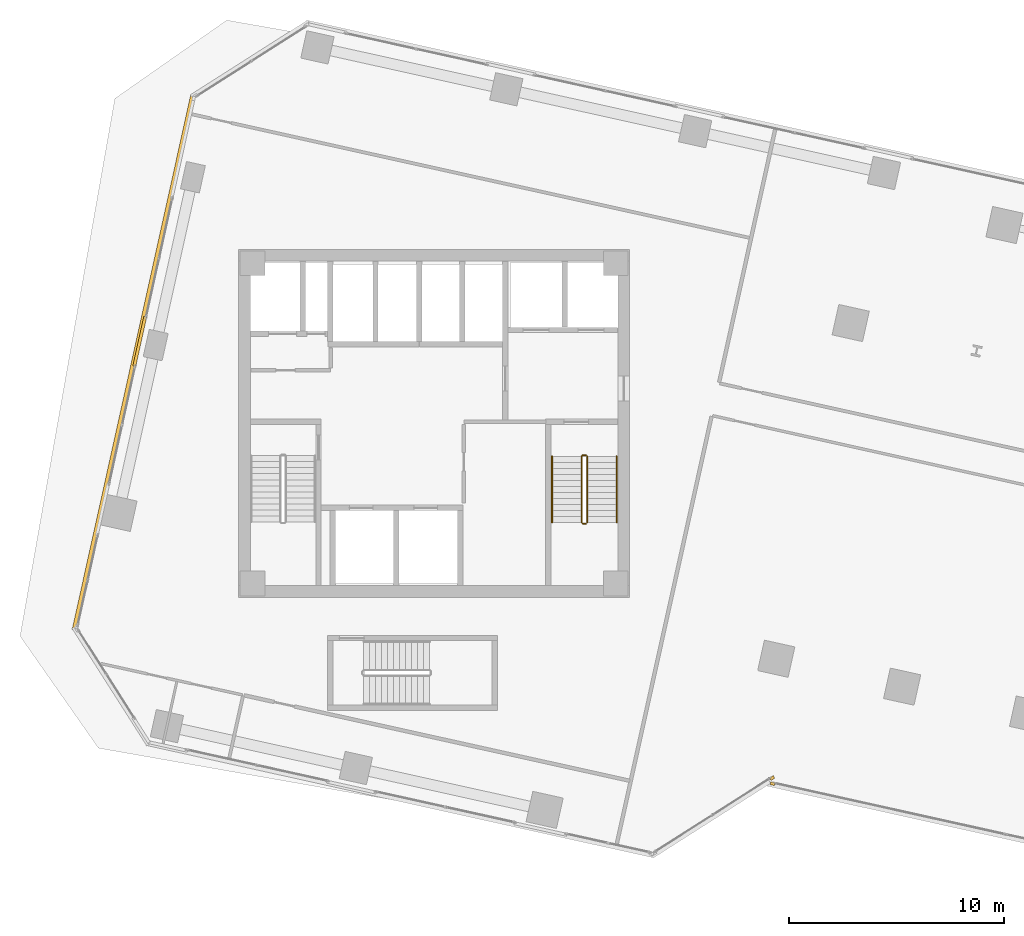
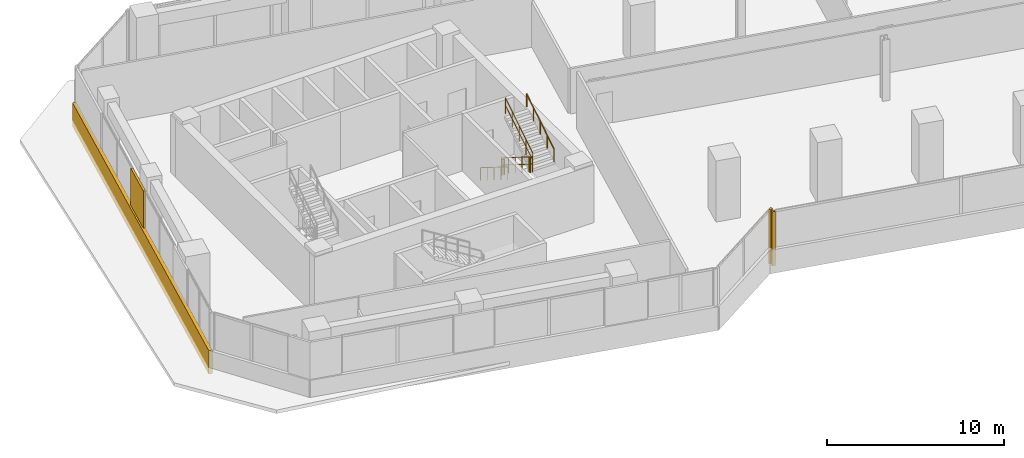
# One storey, part 23 of 25: 6 railings, 4 coverings.
"""IFC4 building model written with IfcOpenShell, lengths in metres."""

import ifcopenshell
import ifcopenshell.guid

model = None  # the IFC model being written
_history = None  # IfcOwnerHistory: only IFC2X3 demands one
_inside = {}  # id of a spatial element -> (the spatial element, [elements in it])
_under = {}  # id of a project, library or spatial element -> (it, [spatial elements below it])
_declared = {}  # id of a project -> (the project, [libraries it declares])
_typed = {}  # id of a type object -> (the type object, [elements of that type])
_made_of = {}  # id of a material, layer set ... -> (it, [elements and type objects made of it])


def new_model(schema):
    """Start an empty IFC model of exactly this schema.

    Asked for "IFC4X3", IfcOpenShell would pick the latest addendum, in which some entities
    have other attributes; the version numbers below select the first issue.
    IFC2X3 requires an IfcOwnerHistory on every rooted entity: one is made here for all.
    """
    global model, _history
    if schema == "IFC4X3":
        model = ifcopenshell.file(schema_version=(4, 3, 0, 0))
    else:
        model = ifcopenshell.file(schema=schema)
    _inside.clear()
    _under.clear()
    _declared.clear()
    _typed.clear()
    _made_of.clear()
    _history = None
    if model.schema == "IFC2X3":
        org = make("IfcOrganization", Name="unknown")
        user = make(
            "IfcPersonAndOrganization",
            ThePerson=make("IfcPerson", FamilyName="unknown"),
            TheOrganization=org,
        )
        app = make(
            "IfcApplication",
            ApplicationDeveloper=org,
            Version="unknown",
            ApplicationFullName="unknown",
            ApplicationIdentifier="unknown",
        )
        _history = make(
            "IfcOwnerHistory",
            OwningUser=user,
            OwningApplication=app,
            ChangeAction="ADDED",
            CreationDate=0,
        )
    return model


def make(cls, **values):
    """One entity of the class cls with the attributes given. An attribute that is None is left unset."""
    return model.create_entity(
        cls, **{name: value for name, value in values.items() if value is not None}
    )


def rooted(cls, **values):
    """An entity with a GlobalId (a new one), such as an element, a storey or a relation."""
    return make(cls, GlobalId=ifcopenshell.guid.new(), OwnerHistory=_history, **values)


def si_unit(unit_type, name, prefix=None):
    """IfcSIUnit, for example si_unit("LENGTHUNIT", "METRE", prefix="MILLI")."""
    return make("IfcSIUnit", UnitType=unit_type, Prefix=prefix, Name=name)


def assignment(units):
    """IfcUnitAssignment: the units of a project."""
    return None if units is None else make("IfcUnitAssignment", Units=units)


def point(xyz):
    """IfcCartesianPoint."""
    return None if xyz is None else make("IfcCartesianPoint", Coordinates=xyz)


def direction(xyz):
    """IfcDirection."""
    return None if xyz is None else make("IfcDirection", DirectionRatios=xyz)


def frame(location, z_axis=None, x_axis=None):
    """IfcAxis2Placement3D, a coordinate frame: its origin and axes. An axis left out is left unset."""
    return make(
        "IfcAxis2Placement3D",
        Location=point(location),
        Axis=direction(z_axis),
        RefDirection=direction(x_axis),
    )


def frame_2d(location, x_axis=None):
    """IfcAxis2Placement2D, a coordinate frame in the plane: its origin and x axis."""
    return make(
        "IfcAxis2Placement2D", Location=point(location), RefDirection=direction(x_axis)
    )


def origin():
    """The frame at (0, 0, 0) with its axes left unset."""
    return frame((0.0, 0.0, 0.0))


def origin_2d():
    """The frame at (0, 0) in the plane with its x axis left unset."""
    return frame_2d((0.0, 0.0))


def place(relative_to, where):
    """IfcLocalPlacement: puts the frame where relative to a parent placement (None: the world)."""
    return make(
        "IfcLocalPlacement", PlacementRelTo=relative_to, RelativePlacement=where
    )


def context(
    kind, dimensions, precision=None, world=None, true_north=None, identifier=None
):
    """IfcGeometricRepresentationContext, for example the 3D "Model" context."""
    return make(
        "IfcGeometricRepresentationContext",
        ContextIdentifier=identifier,
        ContextType=kind,
        CoordinateSpaceDimension=dimensions,
        Precision=precision,
        WorldCoordinateSystem=world,
        TrueNorth=true_north,
    )


def subcontext(parent, identifier, kind, view, scale=None):
    """IfcGeometricRepresentationSubContext, for example "Body" below "Model"."""
    return make(
        "IfcGeometricRepresentationSubContext",
        ContextIdentifier=identifier,
        ContextType=kind,
        ParentContext=parent,
        TargetScale=scale,
        TargetView=view,
    )


def project(units=None, contexts=None):
    """IfcProject with its units and contexts."""
    return rooted(
        "IfcProject",
        Name="project",
        RepresentationContexts=contexts,
        UnitsInContext=assignment(units),
    )


def spatial(cls, under=None, at=None, **own):
    """A site, building, storey or space (cls), placed at a placement, below another one or the project."""
    s = rooted(cls, ObjectPlacement=at, **own)
    if under is not None:
        _under.setdefault(under.id(), (under, []))[1].append(s)
    return s


def profile(cls, at=None, kind="AREA", **sizes):
    """A parametric profile (cls). Its sizes go by their IFC names, for example OverallWidth=200.0."""
    return make(cls, ProfileType=kind, Position=at, **sizes)


def rectangle(**sizes):
    """IfcRectangleProfileDef."""
    return profile("IfcRectangleProfileDef", **sizes)


def circle(**sizes):
    """IfcCircleProfileDef."""
    return profile("IfcCircleProfileDef", **sizes)


def extrude(swept, where, along, depth):
    """IfcExtrudedAreaSolid: the profile swept, set in the frame where, extruded along a direction by depth."""
    return make(
        "IfcExtrudedAreaSolid",
        SweptArea=swept,
        Position=where,
        ExtrudedDirection=direction(along),
        Depth=depth,
    )


def shape(context_of_items, identifier, shape_type, items):
    """IfcShapeRepresentation: the items that make up one representation, for example the "Body"."""
    return make(
        "IfcShapeRepresentation",
        ContextOfItems=context_of_items,
        RepresentationIdentifier=identifier,
        RepresentationType=shape_type,
        Items=items,
    )


def source(mapping_origin, context_of_items, identifier, shape_type, items):
    """IfcRepresentationMap: a shape defined once, which mapped items show again and again."""
    return make(
        "IfcRepresentationMap",
        MappingOrigin=mapping_origin,
        MappedRepresentation=shape(context_of_items, identifier, shape_type, items),
    )


def transform(
    local_origin,
    x_axis=None,
    y_axis=None,
    z_axis=None,
    scale=None,
    scale2=None,
    scale3=None,
    uniform=True,
):
    """IfcCartesianTransformationOperator3D, or its non-uniform kind. x_axis, y_axis, z_axis: its Axis1, 2, 3."""
    if uniform:
        return make(
            "IfcCartesianTransformationOperator3D",
            Axis1=direction(x_axis),
            Axis2=direction(y_axis),
            LocalOrigin=point(local_origin),
            Scale=scale,
            Axis3=direction(z_axis),
        )
    return make(
        "IfcCartesianTransformationOperator3DnonUniform",
        Axis1=direction(x_axis),
        Axis2=direction(y_axis),
        LocalOrigin=point(local_origin),
        Scale=scale,
        Axis3=direction(z_axis),
        Scale2=scale2,
        Scale3=scale3,
    )


def mapped(mapping_source, mapping_target):
    """IfcMappedItem: shows the shape of a source again, moved by a transform."""
    return make(
        "IfcMappedItem", MappingSource=mapping_source, MappingTarget=mapping_target
    )


def material(Name=None, Category=None):
    """IfcMaterial."""
    return make("IfcMaterial", Name=Name, Category=Category)


def layer(
    of_material, thickness, ventilated=None, Name=None, Category=None, Priority=None
):
    """IfcMaterialLayer: one layer of a wall or slab, of a material (None: an air gap)."""
    return make(
        "IfcMaterialLayer",
        Material=of_material,
        LayerThickness=thickness,
        IsVentilated=ventilated,
        Name=Name,
        Category=Category,
        Priority=Priority,
    )


def layer_set(layers, Name=None):
    """IfcMaterialLayerSet."""
    return make("IfcMaterialLayerSet", MaterialLayers=layers, LayerSetName=Name)


def made_of(thing, what):
    """Note that an element or type object is made of a material, layer set ...; save() writes the relation."""
    if what is not None:
        _made_of.setdefault(what.id(), (what, []))[1].append(thing)
    return thing


def type_object(cls, material=None, **own):
    """A type object (cls), such as IfcWallType, which elements share."""
    return made_of(rooted(cls, **own), material)


def element(
    cls,
    number,
    at=None,
    inside=None,
    cuts=None,
    type_object=None,
    material=None,
    context=None,
    identifier="Body",
    shape_type=None,
    held_by="IfcProductDefinitionShape",
    body=None,
    shapes=None,
    **own,
):
    """One element of the class cls, such as IfcWall. Its Tag is "e" and its number.

    at: its placement. inside: the storey or other place that contains it. cuts: it is an
    opening in that element (IfcRelVoidsElement). A single representation is given by context,
    identifier, shape_type and body (its items); several are given by shapes. held_by: the class
    of the entity that holds the representations. save() writes the other relations.
    """
    e = rooted(cls, Tag="e%d" % number, ObjectPlacement=at, **own)
    if body is not None:
        shapes = [shape(context, identifier, shape_type, body)]
    if shapes is not None:
        e.Representation = make(held_by, Representations=shapes)
    if inside is not None:
        _inside.setdefault(inside.id(), (inside, []))[1].append(e)
    if cuts is not None:
        rooted(
            "IfcRelVoidsElement", RelatingBuildingElement=cuts, RelatedOpeningElement=e
        )
    if type_object is not None:
        _typed.setdefault(type_object.id(), (type_object, []))[1].append(e)
    return made_of(e, material)


def aggregate(whole, parts):
    """IfcRelAggregates: a whole, such as a stair, and the parts it consists of."""
    return rooted("IfcRelAggregates", RelatingObject=whole, RelatedObjects=parts)


def save(model, path):
    """Write the relations noted so far, then the file.

    IfcRelAggregates (storeys below a building ...), IfcRelContainedInSpatialStructure (elements
    in a storey), IfcRelDefinesByType, IfcRelAssociatesMaterial and IfcRelDeclares: one each for
    every whole, place, type object, material and project.
    """
    for whole, parts in _under.values():
        aggregate(whole, parts)
    for where, things in _inside.values():
        rooted(
            "IfcRelContainedInSpatialStructure",
            RelatedElements=things,
            RelatingStructure=where,
        )
    for kind, things in _typed.values():
        rooted("IfcRelDefinesByType", RelatedObjects=things, RelatingType=kind)
    for what, things in _made_of.values():
        rooted("IfcRelAssociatesMaterial", RelatedObjects=things, RelatingMaterial=what)
    for by, libraries in _declared.values():
        rooted("IfcRelDeclares", RelatingContext=by, RelatedDefinitions=libraries)
    model.write(path)


model = new_model("IFC4")

# Units and contexts
model_context = context("Model", 3, precision=1e-05, world=origin(), true_north=direction((0.0, 1.0)))
body_context = subcontext(model_context, "Body", "Model", "MODEL_VIEW")
ifc_project = project(units=[si_unit("LENGTHUNIT", "METRE"), si_unit("AREAUNIT", "SQUARE_METRE"), si_unit("VOLUMEUNIT", "CUBIC_METRE"), si_unit("PLANEANGLEUNIT", "RADIAN"), si_unit("MASSUNIT", "GRAM", prefix="KILO")], contexts=[model_context])

# Site, building, storey
site_placement = place(None, origin())
site = spatial("IfcSite", under=ifc_project, at=site_placement, CompositionType="ELEMENT")
building_placement = place(site_placement, origin())
building = spatial("IfcBuilding", under=site, at=building_placement, Name="Torre Montelarca", CompositionType="ELEMENT")
storey_placement = place(building_placement, frame((0.0, 0.0, 87.39990234375)))
storey = spatial("IfcBuildingStorey", under=building, at=storey_placement, Name="L19", CompositionType="ELEMENT", Elevation=87.39990234375)

# Railings
ifc_material_1 = material(Name="Powder-coated steel ASTM A500 Grade C", Category="steel")
railing_type_1 = type_object("IfcRailingType", Name="RL-GUARD-1100", PredefinedType="BALUSTRADE", material=ifc_material_1)
railing_1_placement = place(storey_placement, frame((24.8701171875, 30.469970703125, 0.175048828125)))
element("IfcRailing", 1, at=railing_1_placement, inside=storey, type_object=railing_type_1, Name="L19 ST2 stair guard 1", PredefinedType="BALUSTRADE", context=body_context, shape_type="SweptSolid", body=[
    extrude(circle(Radius=0.02392578125, at=origin_2d()), frame((0.0, 0.0, 1.076171875), z_axis=(0.0, -0.847998304005, 0.529998940003), x_axis=(1.0, 0.0, 0.0)), (0.0, 0.0, 1.0), 3.632080078125),
    extrude(circle(Radius=0.02099609375, at=origin_2d()), frame((0.0, 0.0, 0.572021484375), z_axis=(0.0, -0.847998304005, 0.529998940003), x_axis=(1.0, 0.0, 0.0)), (0.0, 0.0, 1.0), 3.632080078125),
    extrude(circle(Radius=0.02099609375, at=origin_2d()), origin(), (0.0, 0.0, 1.0), 1.052001953125),
    extrude(circle(Radius=0.02099609375, at=origin_2d()), frame((0.0, -0.77001953125, 0.481201171875)), (0.0, 0.0, 1.0), 1.052001953125),
    extrude(circle(Radius=0.02099609375, at=origin_2d()), frame((0.0, -1.5400390625, 0.96240234375)), (0.0, 0.0, 1.0), 1.052001953125),
    extrude(circle(Radius=0.02099609375, at=origin_2d()), frame((0.0, -2.31005859375, 1.44384765625)), (0.0, 0.0, 1.0), 1.052001953125),
    extrude(circle(Radius=0.02099609375, at=origin_2d()), frame((0.0, -3.080078125, 1.925048828125)), (0.0, 0.0, 1.0), 1.052001953125),
])
railing_2_placement = place(storey_placement, frame((24.919921875, 27.340087890625, 2.10009765625)))
element("IfcRailing", 2, at=railing_2_placement, inside=storey, type_object=railing_type_1, Name="L19 ST2 stair guard 2", PredefinedType="BALUSTRADE", context=body_context, shape_type="SweptSolid", body=[
    extrude(circle(Radius=0.02392578125, at=origin_2d()), frame((0.0, 0.0, 1.076171875), z_axis=(1.0, 0.0, 0.0), x_axis=(0.0, 1.0, 0.0)), (0.0, 0.0, 1.0), 0.150146484375),
    extrude(circle(Radius=0.02099609375, at=origin_2d()), frame((0.0, 0.0, 0.572021484375), z_axis=(1.0, 0.0, 0.0), x_axis=(0.0, 1.0, 0.0)), (0.0, 0.0, 1.0), 0.150146484375),
    extrude(circle(Radius=0.02099609375, at=origin_2d()), origin(), (0.0, 0.0, 1.0), 1.052001953125),
    extrude(circle(Radius=0.02099609375, at=origin_2d()), frame((0.150146484375, 0.0, 0.0)), (0.0, 0.0, 1.0), 1.052001953125),
])
railing_3_placement = place(storey_placement, frame((25.1201171875, 27.389892578125, 2.275146484375)))
element("IfcRailing", 3, at=railing_3_placement, inside=storey, type_object=railing_type_1, Name="L19 ST2 stair guard 3", PredefinedType="BALUSTRADE", context=body_context, shape_type="SweptSolid", body=[
    extrude(circle(Radius=0.02392578125, at=origin_2d()), frame((0.0, 0.0, 1.076171875), z_axis=(0.0, 0.847998304005, 0.529998940003), x_axis=(-1.0, 0.0, 0.0)), (0.0, 0.0, 1.0), 3.632080078125),
    extrude(circle(Radius=0.02099609375, at=origin_2d()), frame((0.0, 0.0, 0.572021484375), z_axis=(0.0, 0.847998304005, 0.529998940003), x_axis=(-1.0, 0.0, 0.0)), (0.0, 0.0, 1.0), 3.632080078125),
    extrude(circle(Radius=0.02099609375, at=origin_2d()), origin(), (0.0, 0.0, 1.0), 1.052001953125),
    extrude(circle(Radius=0.02099609375, at=origin_2d()), frame((0.0, 0.77001953125, 0.481201171875)), (0.0, 0.0, 1.0), 1.052001953125),
    extrude(circle(Radius=0.02099609375, at=origin_2d()), frame((0.0, 1.5400390625, 0.96240234375)), (0.0, 0.0, 1.0), 1.052001953125),
    extrude(circle(Radius=0.02099609375, at=origin_2d()), frame((0.0, 2.31005859375, 1.44384765625)), (0.0, 0.0, 1.0), 1.052001953125),
    extrude(circle(Radius=0.02099609375, at=origin_2d()), frame((0.0, 3.080078125, 1.925048828125)), (0.0, 0.0, 1.0), 1.052001953125),
])
railing_4_placement = place(storey_placement, frame((24.919921875, 30.52001953125, 0.0)))
element("IfcRailing", 4, at=railing_4_placement, inside=storey, type_object=railing_type_1, Name="L19 ST2 stair guard 4", PredefinedType="BALUSTRADE", context=body_context, shape_type="SweptSolid", body=[
    extrude(circle(Radius=0.02392578125, at=origin_2d()), frame((0.0, 0.0, 1.076171875), z_axis=(1.0, 0.0, 0.0), x_axis=(0.0, 1.0, 0.0)), (0.0, 0.0, 1.0), 0.150146484375),
    extrude(circle(Radius=0.02099609375, at=origin_2d()), frame((0.0, 0.0, 0.572021484375), z_axis=(1.0, 0.0, 0.0), x_axis=(0.0, 1.0, 0.0)), (0.0, 0.0, 1.0), 0.150146484375),
    extrude(circle(Radius=0.02099609375, at=origin_2d()), origin(), (0.0, 0.0, 1.0), 1.052001953125),
    extrude(circle(Radius=0.02099609375, at=origin_2d()), frame((0.150146484375, 0.0, 0.0)), (0.0, 0.0, 1.0), 1.052001953125),
])
ifc_material_2 = material(Name="Brushed stainless steel AISI 316", Category="steel")
railing_type_2 = type_object("IfcRailingType", Name="RL-HANDRAIL-900", PredefinedType="HANDRAIL", material=ifc_material_2)
railing_5_placement = place(storey_placement, frame((23.489990234375, 30.469970703125, 0.175048828125)))
element("IfcRailing", 5, at=railing_5_placement, inside=storey, type_object=railing_type_2, Name="L19 ST2 stair handrail 1", PredefinedType="HANDRAIL", context=body_context, shape_type="SweptSolid", body=[
    extrude(circle(Radius=0.02392578125, at=origin_2d()), frame((0.0, 0.0, 0.8759765625), z_axis=(0.0, -0.847998304005, 0.529998940003), x_axis=(1.0, 0.0, 0.0)), (0.0, 0.0, 1.0), 3.632080078125),
    extrude(circle(Radius=0.02099609375, at=origin_2d()), origin(), (0.0, 0.0, 1.0), 0.851806640625),
    extrude(circle(Radius=0.02099609375, at=origin_2d()), frame((0.0, -0.77001953125, 0.481201171875)), (0.0, 0.0, 1.0), 0.851806640625),
    extrude(circle(Radius=0.02099609375, at=origin_2d()), frame((0.0, -1.5400390625, 0.96240234375)), (0.0, 0.0, 1.0), 0.851806640625),
    extrude(circle(Radius=0.02099609375, at=origin_2d()), frame((0.0, -2.31005859375, 1.44384765625)), (0.0, 0.0, 1.0), 0.851806640625),
    extrude(circle(Radius=0.02099609375, at=origin_2d()), frame((0.0, -3.080078125, 1.925048828125)), (0.0, 0.0, 1.0), 0.851806640625),
])
railing_6_placement = place(storey_placement, frame((26.5, 27.389892578125, 2.275146484375)))
element("IfcRailing", 6, at=railing_6_placement, inside=storey, type_object=railing_type_2, Name="L19 ST2 stair handrail 2", PredefinedType="HANDRAIL", context=body_context, shape_type="SweptSolid", body=[
    extrude(circle(Radius=0.02392578125, at=origin_2d()), frame((0.0, 0.0, 0.8759765625), z_axis=(0.0, 0.847998304005, 0.529998940003), x_axis=(-1.0, 0.0, 0.0)), (0.0, 0.0, 1.0), 3.632080078125),
    extrude(circle(Radius=0.02099609375, at=origin_2d()), origin(), (0.0, 0.0, 1.0), 0.851806640625),
    extrude(circle(Radius=0.02099609375, at=origin_2d()), frame((0.0, 0.77001953125, 0.481201171875)), (0.0, 0.0, 1.0), 0.851806640625),
    extrude(circle(Radius=0.02099609375, at=origin_2d()), frame((0.0, 1.5400390625, 0.96240234375)), (0.0, 0.0, 1.0), 0.851806640625),
    extrude(circle(Radius=0.02099609375, at=origin_2d()), frame((0.0, 2.31005859375, 1.44384765625)), (0.0, 0.0, 1.0), 0.851806640625),
    extrude(circle(Radius=0.02099609375, at=origin_2d()), frame((0.0, 3.080078125, 1.925048828125)), (0.0, 0.0, 1.0), 0.851806640625),
])

# Coverings
ifc_material_3 = material(Name="Bush-hammered warm white precast concrete C45/55", Category="concrete")
ifc_layer = layer(ifc_material_3, 0.139892578125, Name="Bush-hammered warm white precast concrete C45/55", Category="concrete")
ifc_layer_set = layer_set([ifc_layer], Name="Bush-hammered warm white precast concrete C45/55")
covering_type = type_object("IfcCoveringType", Name="COV-TRAY-CLAD", PredefinedType="CLADDING", material=ifc_layer_set)
shared_shape_1 = source(origin(), body_context, "Body", "SweptSolid", [
    extrude(rectangle(XDim=25.52001953125, YDim=0.219970703125, at=origin_2d()), origin(), (0.0, 0.0, 1.0), 1.6201171875),
])
covering_1_placement = place(storey_placement, frame((4.032470703125, 34.84814453125, -0.449951171875), z_axis=(0.0, 0.0, 1.0), x_axis=(-0.216441317896, -0.97629562936, 0.0)))
element("IfcCovering", 7, at=covering_1_placement, inside=storey, type_object=covering_type, Name="L19 Architectural White Spandrel Tray Band TRYBOT-10", PredefinedType="CLADDING", context=body_context, shape_type="MappedRepresentation", body=[
    mapped(shared_shape_1, transform((0.0, 0.0, 0.0), scale=1.0)),
])
shared_shape_2 = source(origin(), body_context, "Body", "SweptSolid", [
    extrude(rectangle(XDim=0.199951171875, YDim=0.139892578125, at=origin_2d()), origin(), (0.0, 0.0, 1.0), 3.719970703125),
])
for number, where, z_axis, x_axis, name in (
    (8, (33.7333984375, 15.502685546875, 0.0), (0.0, 0.0, 1.0), (0.843383943613, 0.537311384261, 0.0), "L19 Architectural Column Pier Cladding E02-2"),
    (9, (33.7548828125, 15.240234375, 0.0), (0.0, 0.0, 1.0), (0.97629751813, -0.216432798101, 0.0), "L19 Architectural Column Pier Cladding E04-1"),
):
    element("IfcCovering", number, at=place(storey_placement, frame(where, z_axis=z_axis, x_axis=x_axis)), inside=storey, type_object=covering_type, Name=name, PredefinedType="CLADDING", context=body_context, shape_type="MappedRepresentation", body=[
        mapped(shared_shape_2, transform((0.0, 0.0, 0.0), scale=1.0)),
    ])
shared_shape_3 = source(origin(), body_context, "Body", "SweptSolid", [
    extrude(rectangle(XDim=2.360107421875, YDim=0.139892578125, at=origin_2d()), origin(), (0.0, 0.0, 1.0), 3.719970703125),
])
covering_2_placement = place(storey_placement, frame((4.307373046875, 35.8115234375, 0.0), z_axis=(0.0, 0.0, 1.0), x_axis=(-0.216441317896, -0.97629562936, 0.0)))
element("IfcCovering", 10, at=covering_2_placement, inside=storey, type_object=covering_type, Name="L19 Architectural Column Pier Cladding E10-3", PredefinedType="CLADDING", context=body_context, shape_type="MappedRepresentation", body=[
    mapped(shared_shape_3, transform((0.0, 0.0, 0.0), scale=1.0)),
])

save(model, "model.ifc")
